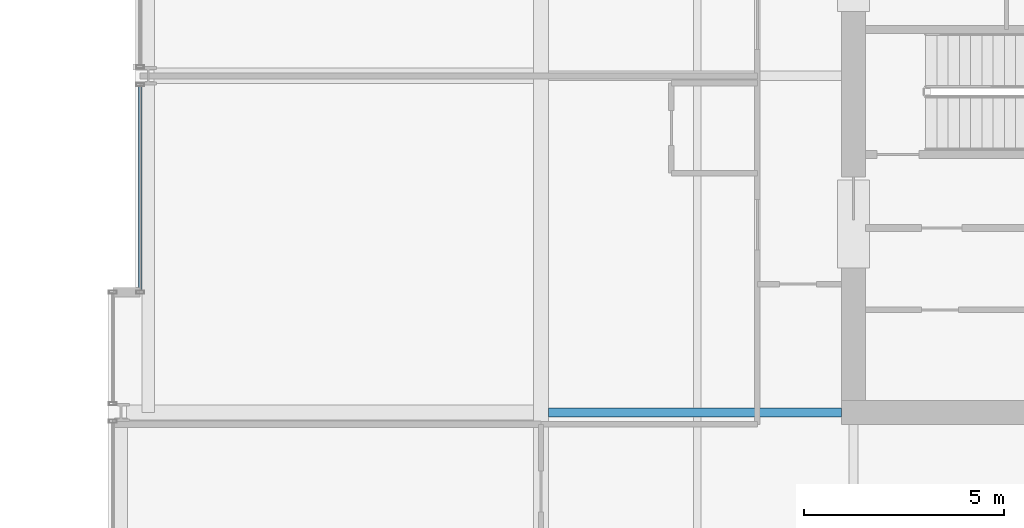
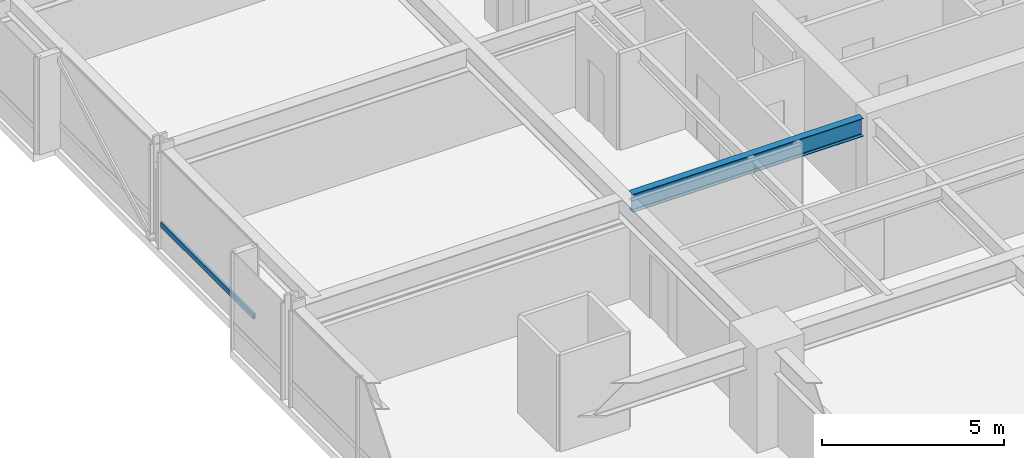
# One storey, part 8 of 34: 1 beam, 1 member, 1 element without a shape of its own.
"""IFC4 building model written with IfcOpenShell, lengths in metres."""

import ifcopenshell
import ifcopenshell.guid

model = None  # the IFC model being written
_history = None  # IfcOwnerHistory: only IFC2X3 demands one
_inside = {}  # id of a spatial element -> (the spatial element, [elements in it])
_under = {}  # id of a project, library or spatial element -> (it, [spatial elements below it])
_declared = {}  # id of a project -> (the project, [libraries it declares])
_typed = {}  # id of a type object -> (the type object, [elements of that type])
_made_of = {}  # id of a material, layer set ... -> (it, [elements and type objects made of it])


def new_model(schema):
    """Start an empty IFC model of exactly this schema.

    Asked for "IFC4X3", IfcOpenShell would pick the latest addendum, in which some entities
    have other attributes; the version numbers below select the first issue.
    IFC2X3 requires an IfcOwnerHistory on every rooted entity: one is made here for all.
    """
    global model, _history
    if schema == "IFC4X3":
        model = ifcopenshell.file(schema_version=(4, 3, 0, 0))
    else:
        model = ifcopenshell.file(schema=schema)
    _inside.clear()
    _under.clear()
    _declared.clear()
    _typed.clear()
    _made_of.clear()
    _history = None
    if model.schema == "IFC2X3":
        org = make("IfcOrganization", Name="unknown")
        user = make(
            "IfcPersonAndOrganization",
            ThePerson=make("IfcPerson", FamilyName="unknown"),
            TheOrganization=org,
        )
        app = make(
            "IfcApplication",
            ApplicationDeveloper=org,
            Version="unknown",
            ApplicationFullName="unknown",
            ApplicationIdentifier="unknown",
        )
        _history = make(
            "IfcOwnerHistory",
            OwningUser=user,
            OwningApplication=app,
            ChangeAction="ADDED",
            CreationDate=0,
        )
    return model


def make(cls, **values):
    """One entity of the class cls with the attributes given. An attribute that is None is left unset."""
    return model.create_entity(
        cls, **{name: value for name, value in values.items() if value is not None}
    )


def rooted(cls, **values):
    """An entity with a GlobalId (a new one), such as an element, a storey or a relation."""
    return make(cls, GlobalId=ifcopenshell.guid.new(), OwnerHistory=_history, **values)


def si_unit(unit_type, name, prefix=None):
    """IfcSIUnit, for example si_unit("LENGTHUNIT", "METRE", prefix="MILLI")."""
    return make("IfcSIUnit", UnitType=unit_type, Prefix=prefix, Name=name)


def assignment(units):
    """IfcUnitAssignment: the units of a project."""
    return None if units is None else make("IfcUnitAssignment", Units=units)


def point(xyz):
    """IfcCartesianPoint."""
    return None if xyz is None else make("IfcCartesianPoint", Coordinates=xyz)


def direction(xyz):
    """IfcDirection."""
    return None if xyz is None else make("IfcDirection", DirectionRatios=xyz)


def frame(location, z_axis=None, x_axis=None):
    """IfcAxis2Placement3D, a coordinate frame: its origin and axes. An axis left out is left unset."""
    return make(
        "IfcAxis2Placement3D",
        Location=point(location),
        Axis=direction(z_axis),
        RefDirection=direction(x_axis),
    )


def frame_2d(location, x_axis=None):
    """IfcAxis2Placement2D, a coordinate frame in the plane: its origin and x axis."""
    return make(
        "IfcAxis2Placement2D", Location=point(location), RefDirection=direction(x_axis)
    )


def origin():
    """The frame at (0, 0, 0) with its axes left unset."""
    return frame((0.0, 0.0, 0.0))


def origin_2d():
    """The frame at (0, 0) in the plane with its x axis left unset."""
    return frame_2d((0.0, 0.0))


def place(relative_to, where):
    """IfcLocalPlacement: puts the frame where relative to a parent placement (None: the world)."""
    return make(
        "IfcLocalPlacement", PlacementRelTo=relative_to, RelativePlacement=where
    )


def context(
    kind, dimensions, precision=None, world=None, true_north=None, identifier=None
):
    """IfcGeometricRepresentationContext, for example the 3D "Model" context."""
    return make(
        "IfcGeometricRepresentationContext",
        ContextIdentifier=identifier,
        ContextType=kind,
        CoordinateSpaceDimension=dimensions,
        Precision=precision,
        WorldCoordinateSystem=world,
        TrueNorth=true_north,
    )


def subcontext(parent, identifier, kind, view, scale=None):
    """IfcGeometricRepresentationSubContext, for example "Body" below "Model"."""
    return make(
        "IfcGeometricRepresentationSubContext",
        ContextIdentifier=identifier,
        ContextType=kind,
        ParentContext=parent,
        TargetScale=scale,
        TargetView=view,
    )


def project(units=None, contexts=None):
    """IfcProject with its units and contexts."""
    return rooted(
        "IfcProject",
        Name="project",
        RepresentationContexts=contexts,
        UnitsInContext=assignment(units),
    )


def spatial(cls, under=None, at=None, **own):
    """A site, building, storey or space (cls), placed at a placement, below another one or the project."""
    s = rooted(cls, ObjectPlacement=at, **own)
    if under is not None:
        _under.setdefault(under.id(), (under, []))[1].append(s)
    return s


def profile(cls, at=None, kind="AREA", **sizes):
    """A parametric profile (cls). Its sizes go by their IFC names, for example OverallWidth=200.0."""
    return make(cls, ProfileType=kind, Position=at, **sizes)


def hollow_rectangle(**sizes):
    """IfcRectangleHollowProfileDef."""
    return profile("IfcRectangleHollowProfileDef", **sizes)


def i_section(**sizes):
    """IfcIShapeProfileDef."""
    return profile("IfcIShapeProfileDef", **sizes)


def extrude(swept, where, along, depth):
    """IfcExtrudedAreaSolid: the profile swept, set in the frame where, extruded along a direction by depth."""
    return make(
        "IfcExtrudedAreaSolid",
        SweptArea=swept,
        Position=where,
        ExtrudedDirection=direction(along),
        Depth=depth,
    )


def shape(context_of_items, identifier, shape_type, items):
    """IfcShapeRepresentation: the items that make up one representation, for example the "Body"."""
    return make(
        "IfcShapeRepresentation",
        ContextOfItems=context_of_items,
        RepresentationIdentifier=identifier,
        RepresentationType=shape_type,
        Items=items,
    )


def material(Name=None, Category=None):
    """IfcMaterial."""
    return make("IfcMaterial", Name=Name, Category=Category)


def layer(
    of_material, thickness, ventilated=None, Name=None, Category=None, Priority=None
):
    """IfcMaterialLayer: one layer of a wall or slab, of a material (None: an air gap)."""
    return make(
        "IfcMaterialLayer",
        Material=of_material,
        LayerThickness=thickness,
        IsVentilated=ventilated,
        Name=Name,
        Category=Category,
        Priority=Priority,
    )


def layer_set(layers, Name=None):
    """IfcMaterialLayerSet."""
    return make("IfcMaterialLayerSet", MaterialLayers=layers, LayerSetName=Name)


def material_profile(
    of_material, cross_section, Name=None, Category=None, Priority=None
):
    """IfcMaterialProfile: a cross section and its material."""
    return make(
        "IfcMaterialProfile",
        Name=Name,
        Material=of_material,
        Profile=cross_section,
        Priority=Priority,
        Category=Category,
    )


def profile_set(profiles, Name=None, composite=None):
    """IfcMaterialProfileSet."""
    return make(
        "IfcMaterialProfileSet",
        Name=Name,
        MaterialProfiles=profiles,
        CompositeProfile=composite,
    )


def made_of(thing, what):
    """Note that an element or type object is made of a material, layer set ...; save() writes the relation."""
    if what is not None:
        _made_of.setdefault(what.id(), (what, []))[1].append(thing)
    return thing


def type_object(cls, material=None, **own):
    """A type object (cls), such as IfcWallType, which elements share."""
    return made_of(rooted(cls, **own), material)


def element(
    cls,
    number,
    at=None,
    inside=None,
    cuts=None,
    type_object=None,
    material=None,
    context=None,
    identifier="Body",
    shape_type=None,
    held_by="IfcProductDefinitionShape",
    body=None,
    shapes=None,
    **own,
):
    """One element of the class cls, such as IfcWall. Its Tag is "e" and its number.

    at: its placement. inside: the storey or other place that contains it. cuts: it is an
    opening in that element (IfcRelVoidsElement). A single representation is given by context,
    identifier, shape_type and body (its items); several are given by shapes. held_by: the class
    of the entity that holds the representations. save() writes the other relations.
    """
    e = rooted(cls, Tag="e%d" % number, ObjectPlacement=at, **own)
    if body is not None:
        shapes = [shape(context, identifier, shape_type, body)]
    if shapes is not None:
        e.Representation = make(held_by, Representations=shapes)
    if inside is not None:
        _inside.setdefault(inside.id(), (inside, []))[1].append(e)
    if cuts is not None:
        rooted(
            "IfcRelVoidsElement", RelatingBuildingElement=cuts, RelatedOpeningElement=e
        )
    if type_object is not None:
        _typed.setdefault(type_object.id(), (type_object, []))[1].append(e)
    return made_of(e, material)


def aggregate(whole, parts):
    """IfcRelAggregates: a whole, such as a stair, and the parts it consists of."""
    return rooted("IfcRelAggregates", RelatingObject=whole, RelatedObjects=parts)


def save(model, path):
    """Write the relations noted so far, then the file.

    IfcRelAggregates (storeys below a building ...), IfcRelContainedInSpatialStructure (elements
    in a storey), IfcRelDefinesByType, IfcRelAssociatesMaterial and IfcRelDeclares: one each for
    every whole, place, type object, material and project.
    """
    for whole, parts in _under.values():
        aggregate(whole, parts)
    for where, things in _inside.values():
        rooted(
            "IfcRelContainedInSpatialStructure",
            RelatedElements=things,
            RelatingStructure=where,
        )
    for kind, things in _typed.values():
        rooted("IfcRelDefinesByType", RelatedObjects=things, RelatingType=kind)
    for what, things in _made_of.values():
        rooted("IfcRelAssociatesMaterial", RelatedObjects=things, RelatingMaterial=what)
    for by, libraries in _declared.values():
        rooted("IfcRelDeclares", RelatingContext=by, RelatedDefinitions=libraries)
    model.write(path)


model = new_model("IFC4")

# Units and contexts
model_context = context("Model", 3, precision=1e-05, world=origin(), true_north=direction((0.0, 1.0)))
body_context = subcontext(model_context, "Body", "Model", "MODEL_VIEW")
ifc_project = project(units=[si_unit("LENGTHUNIT", "METRE"), si_unit("AREAUNIT", "SQUARE_METRE"), si_unit("VOLUMEUNIT", "CUBIC_METRE"), si_unit("PLANEANGLEUNIT", "RADIAN"), si_unit("MASSUNIT", "GRAM", prefix="KILO")], contexts=[model_context])

# Site, building, storey
site_placement = place(None, origin())
site = spatial("IfcSite", under=ifc_project, at=site_placement, CompositionType="ELEMENT")
building_placement = place(site_placement, origin())
building = spatial("IfcBuilding", under=site, at=building_placement, Name="Drelvath Grand Hotel", CompositionType="ELEMENT")
storey_placement = place(building_placement, frame((0.0, 0.0, 102.300048828125)))
storey = spatial("IfcBuildingStorey", under=building, at=storey_placement, Name="L25", CompositionType="ELEMENT", Elevation=102.300048828125)

# Curtain wall, member
ifc_material_1 = material(Name="Champagne Bronze Anodised Aluminium Frame", Category="aluminium")
ifc_layer = layer(ifc_material_1, 0.199951171875)
ifc_layer_set = layer_set([ifc_layer], Name="Champagne Bronze Anodised Aluminium Frame")
curtain_wall_type = type_object("IfcCurtainWallType", Name="Stick Curtain Wall CW-03 Champagne Bronze Mid-Rise", PredefinedType="NOTDEFINED", material=ifc_layer_set)
curtain_wall_placement = place(storey_placement, origin())
curtain_wall = element("IfcCurtainWall", 1, at=curtain_wall_placement, inside=storey, type_object=curtain_wall_type, Name="L25 CW-03 Curtain Wall CW03-L25-WM1", PredefinedType="NOTDEFINED")
ifc_material_profile_1 = material_profile(ifc_material_1, hollow_rectangle(XDim=0.074951171875, YDim=0.179931640625, WallThickness=0.0048828125, at=origin_2d()), Name="HSS180X75X5")
ifc_profile_set_1 = profile_set([ifc_material_profile_1], Name="Champagne Bronze Anodised Aluminium Frame")
member_type = type_object("IfcMemberType", Name="Curtain Wall Horizontal Transom CW-03 HSS180X75X5", PredefinedType="USERDEFINED", material=ifc_profile_set_1)
member_placement = place(storey_placement, frame((-26.199951171875, 21.639892578125, 0.81005859375), z_axis=(0.0, 1.0, 0.0), x_axis=(-1.0, 0.0, 0.0)))
member = element("IfcMember", 2, at=member_placement, type_object=member_type, Name="CW03-L25-WM1 Sill Transom", ObjectType="TRANSOM", PredefinedType="USERDEFINED", context=body_context, shape_type="SweptSolid", body=[
    extrude(hollow_rectangle(XDim=0.074951171875, YDim=0.179931640625, WallThickness=0.0048828125, at=origin_2d()), origin(), (0.0, 0.0, 1.0), 5.1005859375),
])
aggregate(curtain_wall, [member])

# Beam
ifc_material_2 = material(Name="Steel ASTM A992 Gr 50", Category="steel")
ifc_material_profile_2 = material_profile(ifc_material_2, i_section(OverallWidth=0.228271484375, OverallDepth=0.607666015625, WebThickness=0.01123046875, FlangeThickness=0.017333984375, FilletRadius=0.02001953125, at=origin_2d()), Name="W24X76")
ifc_profile_set_2 = profile_set([ifc_material_profile_2], Name="Steel ASTM A992 Gr 50")
beam_type = type_object("IfcBeamType", Name="Primary Floor Girder W24X76", PredefinedType="BEAM", material=ifc_profile_set_2)
beam_placement = place(storey_placement, frame((-16.009765625, 18.60009765625, 2.93603515625), z_axis=(1.0, 0.0, 0.0), x_axis=(0.0, 1.0, 0.0)))
element("IfcBeam", 3, at=beam_placement, inside=storey, type_object=beam_type, Name="L25 West Core Tie D", PredefinedType="BEAM", context=body_context, shape_type="SweptSolid", body=[
    extrude(i_section(OverallWidth=0.228271484375, OverallDepth=0.607666015625, WebThickness=0.01123046875, FlangeThickness=0.017333984375, FilletRadius=0.02001953125, at=origin_2d()), origin(), (0.0, 0.0, 1.0), 7.309814453125),
])

save(model, "model.ifc")
